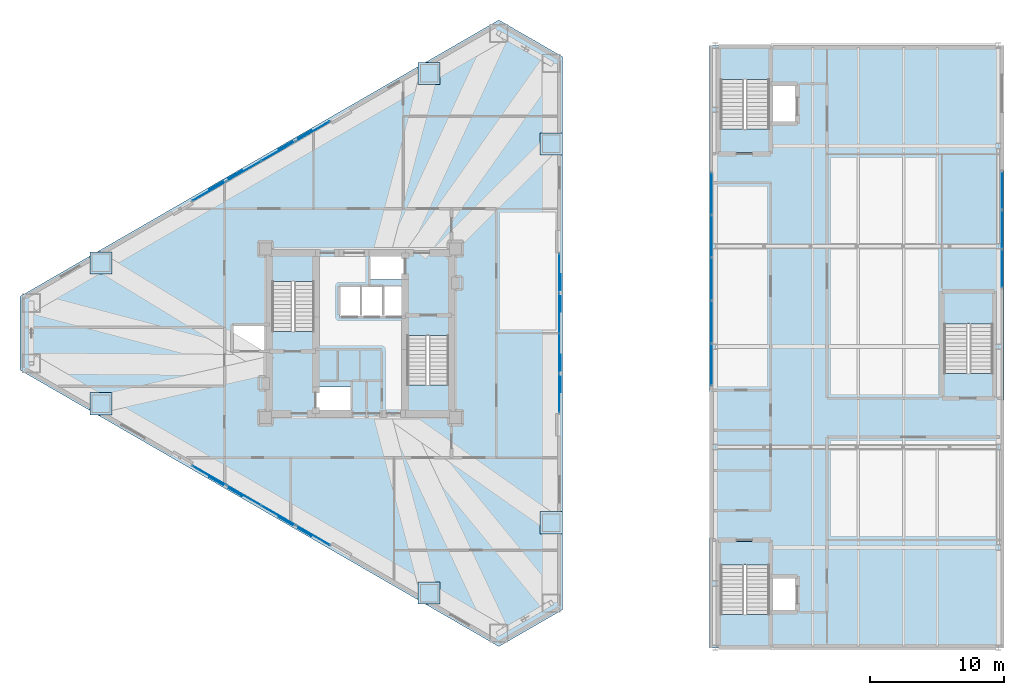
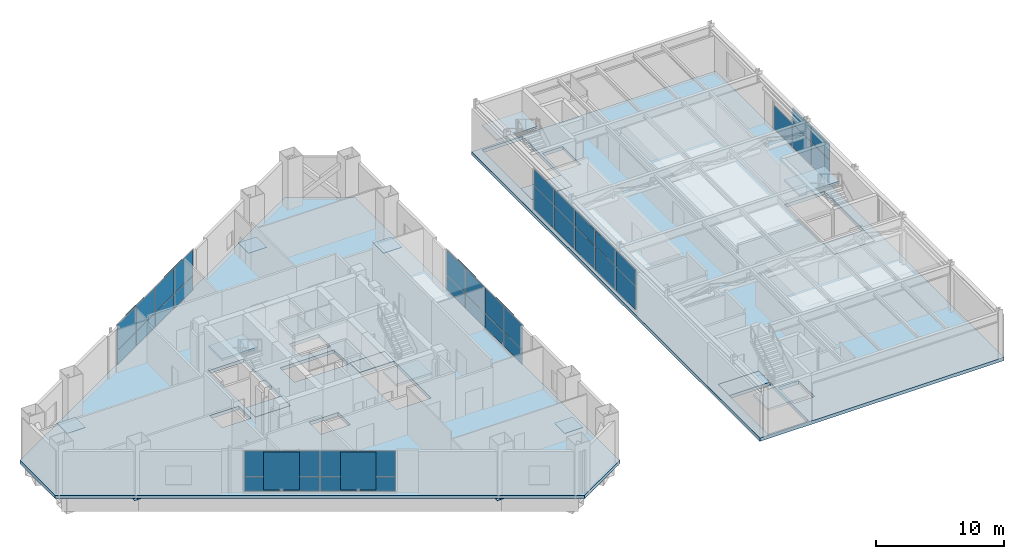
# One storey, part 19 of 29: 51 plates, 12 slabs, 10 elements without a shape of their own.
"""IFC4 building model written with IfcOpenShell, lengths in metres."""

from ifc_helpers import new_model, si_unit, direction, frame, origin, origin_2d, place, context, subcontext, project, spatial, polyline, rectangle, outline, extrude, material, layer, layer_set, type_object, element, aggregate, save


model = new_model("IFC4")

# Units and contexts
model_context = context("Model", 3, precision=1e-05, world=origin(), true_north=direction((0.0, 1.0)))
body_context = subcontext(model_context, "Body", "Model", "MODEL_VIEW")
ifc_project = project(units=[si_unit("LENGTHUNIT", "METRE"), si_unit("AREAUNIT", "SQUARE_METRE"), si_unit("VOLUMEUNIT", "CUBIC_METRE"), si_unit("PLANEANGLEUNIT", "RADIAN"), si_unit("MASSUNIT", "GRAM", prefix="KILO")], contexts=[model_context])

# Site, building, storey
site_placement = place(None, origin())
site = spatial("IfcSite", under=ifc_project, at=site_placement, CompositionType="ELEMENT")
building_placement = place(site_placement, origin())
building = spatial("IfcBuilding", under=site, at=building_placement, Name="Mersakhor Tower and Convention Hall", CompositionType="ELEMENT")
storey_placement = place(building_placement, frame((0.0, 0.0, 9.60009765625)))
storey = spatial("IfcBuildingStorey", under=building, at=storey_placement, Name="L02", CompositionType="ELEMENT", Elevation=9.60009765625)

# Curtain wall, plates
ifc_material_1 = material(Name="Dark solar low-E aluminium curtain wall", Category="aluminium")
ifc_layer_1 = layer(ifc_material_1, 0.18994140625)
ifc_layer_set_1 = layer_set([ifc_layer_1], Name="Dark solar low-E aluminium curtain wall")
curtain_wall_type_1 = type_object("IfcCurtainWallType", Name="CW-SYS-04", PredefinedType="USERDEFINED", material=ifc_layer_set_1)
curtain_wall_1_placement = place(storey_placement, origin())
curtain_wall_1 = element("IfcCurtainWall", 1, at=curtain_wall_1_placement, inside=storey, type_object=curtain_wall_type_1, Name="L02 Dark-Glass Curtain Wall F1-B2", ObjectType="CURTAIN WALL", PredefinedType="USERDEFINED")
ifc_material_2 = material(Name="Dark solar double glazing", Category="glass")
ifc_layer_2 = layer(ifc_material_2, 0.031982421875)
ifc_layer_set_2 = layer_set([ifc_layer_2], Name="Dark solar double glazing")
plate_type_1 = type_object("IfcPlateType", Name="CWP-GLZ-32", PredefinedType="CURTAIN_PANEL", material=ifc_layer_set_2)
plate_1_placement = place(storey_placement, frame((17.703857421875, 37.37548828125, 0.259765625), z_axis=(0.0, 0.0, 1.0), x_axis=(0.866023412558, 0.50000344889, 0.0)))
plate_1 = element("IfcPlate", 2, at=plate_1_placement, type_object=plate_type_1, Name="CW-04 panel 1.1", PredefinedType="CURTAIN_PANEL", context=body_context, shape_type="SweptSolid", body=[
    extrude(rectangle(XDim=2.873291015625, YDim=0.031982421875, at=origin_2d()), origin(), (0.0, 0.0, 1.0), 1.330078125),
])
plate_2_placement = place(storey_placement, frame((17.703857421875, 37.37548828125, 1.64990234375), z_axis=(0.0, 0.0, 1.0), x_axis=(0.866023412558, 0.50000344889, 0.0)))
plate_2 = element("IfcPlate", 3, at=plate_2_placement, type_object=plate_type_1, Name="CW-04 panel 1.2", PredefinedType="CURTAIN_PANEL", context=body_context, shape_type="SweptSolid", body=[
    extrude(rectangle(XDim=2.873291015625, YDim=0.031982421875, at=origin_2d()), origin(), (0.0, 0.0, 1.0), 2.389892578125),
])
plate_3_placement = place(storey_placement, frame((20.27880859375, 38.862060546875, 0.259765625), z_axis=(0.0, 0.0, 1.0), x_axis=(0.866023412558, 0.50000344889, 0.0)))
plate_3 = element("IfcPlate", 4, at=plate_3_placement, type_object=plate_type_1, Name="CW-04 panel 2.1", PredefinedType="CURTAIN_PANEL", context=body_context, shape_type="SweptSolid", body=[
    extrude(rectangle(XDim=2.913330078125, YDim=0.031982421875, at=origin_2d()), origin(), (0.0, 0.0, 1.0), 1.330078125),
])
plate_4_placement = place(storey_placement, frame((20.27880859375, 38.862060546875, 1.64990234375), z_axis=(0.0, 0.0, 1.0), x_axis=(0.866023412558, 0.50000344889, 0.0)))
plate_4 = element("IfcPlate", 5, at=plate_4_placement, type_object=plate_type_1, Name="CW-04 panel 2.2", PredefinedType="CURTAIN_PANEL", context=body_context, shape_type="SweptSolid", body=[
    extrude(rectangle(XDim=2.913330078125, YDim=0.031982421875, at=origin_2d()), origin(), (0.0, 0.0, 1.0), 2.389892578125),
])
plate_5_placement = place(storey_placement, frame((22.87109375, 40.35888671875, 0.259765625), z_axis=(0.0, 0.0, 1.0), x_axis=(0.866023412558, 0.50000344889, 0.0)))
plate_5 = element("IfcPlate", 6, at=plate_5_placement, type_object=plate_type_1, Name="CW-04 panel 3.1", PredefinedType="CURTAIN_PANEL", context=body_context, shape_type="SweptSolid", body=[
    extrude(rectangle(XDim=2.913330078125, YDim=0.031982421875, at=origin_2d()), origin(), (0.0, 0.0, 1.0), 1.330078125),
])
plate_6_placement = place(storey_placement, frame((22.87109375, 40.35888671875, 1.64990234375), z_axis=(0.0, 0.0, 1.0), x_axis=(0.866023412558, 0.50000344889, 0.0)))
plate_6 = element("IfcPlate", 7, at=plate_6_placement, type_object=plate_type_1, Name="CW-04 panel 3.2", PredefinedType="CURTAIN_PANEL", context=body_context, shape_type="SweptSolid", body=[
    extrude(rectangle(XDim=2.913330078125, YDim=0.031982421875, at=origin_2d()), origin(), (0.0, 0.0, 1.0), 2.389892578125),
])
plate_7_placement = place(storey_placement, frame((25.446044921875, 41.845458984375, 0.259765625), z_axis=(0.0, 0.0, 1.0), x_axis=(0.866023412558, 0.50000344889, 0.0)))
plate_7 = element("IfcPlate", 8, at=plate_7_placement, type_object=plate_type_1, Name="CW-04 panel 4.1", PredefinedType="CURTAIN_PANEL", context=body_context, shape_type="SweptSolid", body=[
    extrude(rectangle(XDim=2.873291015625, YDim=0.031982421875, at=origin_2d()), origin(), (0.0, 0.0, 1.0), 1.330078125),
])
plate_8_placement = place(storey_placement, frame((25.446044921875, 41.845458984375, 1.64990234375), z_axis=(0.0, 0.0, 1.0), x_axis=(0.866023412558, 0.50000344889, 0.0)))
plate_8 = element("IfcPlate", 9, at=plate_8_placement, type_object=plate_type_1, Name="CW-04 panel 4.2", PredefinedType="CURTAIN_PANEL", context=body_context, shape_type="SweptSolid", body=[
    extrude(rectangle(XDim=2.873291015625, YDim=0.031982421875, at=origin_2d()), origin(), (0.0, 0.0, 1.0), 2.389892578125),
])
aggregate(curtain_wall_1, [plate_1, plate_2, plate_3, plate_4, plate_5, plate_6, plate_7, plate_8])

curtain_wall_2_placement = place(storey_placement, origin())
curtain_wall_2 = element("IfcCurtainWall", 10, at=curtain_wall_2_placement, inside=storey, type_object=curtain_wall_type_1, Name="L02 Dark-Glass Curtain Wall F2-B2", ObjectType="CURTAIN WALL", PredefinedType="USERDEFINED")
plate_9_placement = place(storey_placement, frame((43.85009765625, 31.219970703125, 0.259765625), z_axis=(0.0, 0.0, 1.0), x_axis=(0.0, -1.0, 0.0)))
plate_9 = element("IfcPlate", 11, at=plate_9_placement, type_object=plate_type_1, Name="CW-04 panel 1.1", PredefinedType="CURTAIN_PANEL", context=body_context, shape_type="SweptSolid", body=[
    extrude(rectangle(XDim=2.873291015625, YDim=0.031982421875, at=origin_2d()), origin(), (0.0, 0.0, 1.0), 1.330078125),
])
plate_10_placement = place(storey_placement, frame((43.85009765625, 31.219970703125, 1.64990234375), z_axis=(0.0, 0.0, 1.0), x_axis=(0.0, -1.0, 0.0)))
plate_10 = element("IfcPlate", 12, at=plate_10_placement, type_object=plate_type_1, Name="CW-04 panel 1.2", PredefinedType="CURTAIN_PANEL", context=body_context, shape_type="SweptSolid", body=[
    extrude(rectangle(XDim=2.873291015625, YDim=0.031982421875, at=origin_2d()), origin(), (0.0, 0.0, 1.0), 2.389892578125),
])
plate_11_placement = place(storey_placement, frame((43.85009765625, 28.24658203125, 0.259765625), z_axis=(0.0, 0.0, 1.0), x_axis=(0.0, -1.0, 0.0)))
plate_11 = element("IfcPlate", 13, at=plate_11_placement, type_object=plate_type_1, Name="CW-04 panel 2.1", PredefinedType="CURTAIN_PANEL", context=body_context, shape_type="SweptSolid", body=[
    extrude(rectangle(XDim=2.913330078125, YDim=0.031982421875, at=origin_2d()), origin(), (0.0, 0.0, 1.0), 1.330078125),
])
plate_12_placement = place(storey_placement, frame((43.85009765625, 28.24658203125, 1.64990234375), z_axis=(0.0, 0.0, 1.0), x_axis=(0.0, -1.0, 0.0)))
plate_12 = element("IfcPlate", 14, at=plate_12_placement, type_object=plate_type_1, Name="CW-04 panel 2.2", PredefinedType="CURTAIN_PANEL", context=body_context, shape_type="SweptSolid", body=[
    extrude(rectangle(XDim=2.913330078125, YDim=0.031982421875, at=origin_2d()), origin(), (0.0, 0.0, 1.0), 2.389892578125),
])
plate_13_placement = place(storey_placement, frame((43.85009765625, 25.25341796875, 0.259765625), z_axis=(0.0, 0.0, 1.0), x_axis=(0.0, -1.0, 0.0)))
plate_13 = element("IfcPlate", 15, at=plate_13_placement, type_object=plate_type_1, Name="CW-04 panel 3.1", PredefinedType="CURTAIN_PANEL", context=body_context, shape_type="SweptSolid", body=[
    extrude(rectangle(XDim=2.913330078125, YDim=0.031982421875, at=origin_2d()), origin(), (0.0, 0.0, 1.0), 1.330078125),
])
plate_14_placement = place(storey_placement, frame((43.85009765625, 25.25341796875, 1.64990234375), z_axis=(0.0, 0.0, 1.0), x_axis=(0.0, -1.0, 0.0)))
plate_14 = element("IfcPlate", 16, at=plate_14_placement, type_object=plate_type_1, Name="CW-04 panel 3.2", PredefinedType="CURTAIN_PANEL", context=body_context, shape_type="SweptSolid", body=[
    extrude(rectangle(XDim=2.913330078125, YDim=0.031982421875, at=origin_2d()), origin(), (0.0, 0.0, 1.0), 2.389892578125),
])
plate_15_placement = place(storey_placement, frame((43.85009765625, 22.280029296875, 0.259765625), z_axis=(0.0, 0.0, 1.0), x_axis=(0.0, -1.0, 0.0)))
plate_15 = element("IfcPlate", 17, at=plate_15_placement, type_object=plate_type_1, Name="CW-04 panel 4.1", PredefinedType="CURTAIN_PANEL", context=body_context, shape_type="SweptSolid", body=[
    extrude(rectangle(XDim=2.873291015625, YDim=0.031982421875, at=origin_2d()), origin(), (0.0, 0.0, 1.0), 1.330078125),
])
plate_16_placement = place(storey_placement, frame((43.85009765625, 22.280029296875, 1.64990234375), z_axis=(0.0, 0.0, 1.0), x_axis=(0.0, -1.0, 0.0)))
plate_16 = element("IfcPlate", 18, at=plate_16_placement, type_object=plate_type_1, Name="CW-04 panel 4.2", PredefinedType="CURTAIN_PANEL", context=body_context, shape_type="SweptSolid", body=[
    extrude(rectangle(XDim=2.873291015625, YDim=0.031982421875, at=origin_2d()), origin(), (0.0, 0.0, 1.0), 2.389892578125),
])
aggregate(curtain_wall_2, [plate_9, plate_10, plate_11, plate_12, plate_13, plate_14, plate_15, plate_16])

curtain_wall_3_placement = place(storey_placement, origin())
curtain_wall_3 = element("IfcCurtainWall", 19, at=curtain_wall_3_placement, inside=storey, type_object=curtain_wall_type_1, Name="L02 Dark-Glass Curtain Wall F3-B2", ObjectType="CURTAIN WALL", PredefinedType="USERDEFINED")
plate_17_placement = place(storey_placement, frame((25.446044921875, 11.654541015625, 0.259765625), z_axis=(0.0, 0.0, 1.0), x_axis=(-0.866023412558, 0.50000344889, 0.0)))
plate_17 = element("IfcPlate", 20, at=plate_17_placement, type_object=plate_type_1, Name="CW-04 panel 1.1", PredefinedType="CURTAIN_PANEL", context=body_context, shape_type="SweptSolid", body=[
    extrude(rectangle(XDim=2.873291015625, YDim=0.031982421875, at=origin_2d()), origin(), (0.0, 0.0, 1.0), 1.330078125),
])
plate_18_placement = place(storey_placement, frame((25.446044921875, 11.654541015625, 1.64990234375), z_axis=(0.0, 0.0, 1.0), x_axis=(-0.866023412558, 0.50000344889, 0.0)))
plate_18 = element("IfcPlate", 21, at=plate_18_placement, type_object=plate_type_1, Name="CW-04 panel 1.2", PredefinedType="CURTAIN_PANEL", context=body_context, shape_type="SweptSolid", body=[
    extrude(rectangle(XDim=2.873291015625, YDim=0.031982421875, at=origin_2d()), origin(), (0.0, 0.0, 1.0), 2.389892578125),
])
plate_19_placement = place(storey_placement, frame((22.87109375, 13.14111328125, 0.259765625), z_axis=(0.0, 0.0, 1.0), x_axis=(-0.866023412558, 0.50000344889, 0.0)))
plate_19 = element("IfcPlate", 22, at=plate_19_placement, type_object=plate_type_1, Name="CW-04 panel 2.1", PredefinedType="CURTAIN_PANEL", context=body_context, shape_type="SweptSolid", body=[
    extrude(rectangle(XDim=2.913330078125, YDim=0.031982421875, at=origin_2d()), origin(), (0.0, 0.0, 1.0), 1.330078125),
])
plate_20_placement = place(storey_placement, frame((22.87109375, 13.14111328125, 1.64990234375), z_axis=(0.0, 0.0, 1.0), x_axis=(-0.866023412558, 0.50000344889, 0.0)))
plate_20 = element("IfcPlate", 23, at=plate_20_placement, type_object=plate_type_1, Name="CW-04 panel 2.2", PredefinedType="CURTAIN_PANEL", context=body_context, shape_type="SweptSolid", body=[
    extrude(rectangle(XDim=2.913330078125, YDim=0.031982421875, at=origin_2d()), origin(), (0.0, 0.0, 1.0), 2.389892578125),
])
plate_21_placement = place(storey_placement, frame((20.27880859375, 14.637939453125, 0.259765625), z_axis=(0.0, 0.0, 1.0), x_axis=(-0.866023412558, 0.50000344889, 0.0)))
plate_21 = element("IfcPlate", 24, at=plate_21_placement, type_object=plate_type_1, Name="CW-04 panel 3.1", PredefinedType="CURTAIN_PANEL", context=body_context, shape_type="SweptSolid", body=[
    extrude(rectangle(XDim=2.913330078125, YDim=0.031982421875, at=origin_2d()), origin(), (0.0, 0.0, 1.0), 1.330078125),
])
plate_22_placement = place(storey_placement, frame((20.27880859375, 14.637939453125, 1.64990234375), z_axis=(0.0, 0.0, 1.0), x_axis=(-0.866023412558, 0.50000344889, 0.0)))
plate_22 = element("IfcPlate", 25, at=plate_22_placement, type_object=plate_type_1, Name="CW-04 panel 3.2", PredefinedType="CURTAIN_PANEL", context=body_context, shape_type="SweptSolid", body=[
    extrude(rectangle(XDim=2.913330078125, YDim=0.031982421875, at=origin_2d()), origin(), (0.0, 0.0, 1.0), 2.389892578125),
])
plate_23_placement = place(storey_placement, frame((17.703857421875, 16.12451171875, 0.259765625), z_axis=(0.0, 0.0, 1.0), x_axis=(-0.866023412558, 0.50000344889, 0.0)))
plate_23 = element("IfcPlate", 26, at=plate_23_placement, type_object=plate_type_1, Name="CW-04 panel 4.1", PredefinedType="CURTAIN_PANEL", context=body_context, shape_type="SweptSolid", body=[
    extrude(rectangle(XDim=2.873291015625, YDim=0.031982421875, at=origin_2d()), origin(), (0.0, 0.0, 1.0), 1.330078125),
])
plate_24_placement = place(storey_placement, frame((17.703857421875, 16.12451171875, 1.64990234375), z_axis=(0.0, 0.0, 1.0), x_axis=(-0.866023412558, 0.50000344889, 0.0)))
plate_24 = element("IfcPlate", 27, at=plate_24_placement, type_object=plate_type_1, Name="CW-04 panel 4.2", PredefinedType="CURTAIN_PANEL", context=body_context, shape_type="SweptSolid", body=[
    extrude(rectangle(XDim=2.873291015625, YDim=0.031982421875, at=origin_2d()), origin(), (0.0, 0.0, 1.0), 2.389892578125),
])
aggregate(curtain_wall_3, [plate_17, plate_18, plate_19, plate_20, plate_21, plate_22, plate_23, plate_24])

ifc_material_3 = material(Name="Dark solar low-E aluminium curtain wall", Category="aluminium")
ifc_layer_3 = layer(ifc_material_3, 0.219970703125)
ifc_layer_set_3 = layer_set([ifc_layer_3], Name="Dark solar low-E aluminium curtain wall")
curtain_wall_type_2 = type_object("IfcCurtainWallType", Name="CW-SYS-07", PredefinedType="USERDEFINED", material=ifc_layer_set_3)
curtain_wall_4_placement = place(storey_placement, origin())
curtain_wall_4 = element("IfcCurtainWall", 28, at=curtain_wall_4_placement, inside=storey, type_object=curtain_wall_type_2, Name="Convention L02 West Curtain Wall", ObjectType="CURTAIN WALL", PredefinedType="USERDEFINED")
ifc_material_4 = material(Name="Dark solar double glazing", Category="glass")
ifc_layer_4 = layer(ifc_material_4, 0.0439453125)
ifc_layer_set_4 = layer_set([ifc_layer_4], Name="Dark solar double glazing")
plate_type_2 = type_object("IfcPlateType", Name="CWP-GLZ-44", PredefinedType="CURTAIN_PANEL", material=ifc_layer_set_4)
plate_25_placement = place(storey_placement, frame((55.22509765625, 24.419921875, 0.260009765625), z_axis=(0.0, 0.0, 1.0), x_axis=(0.0, 1.0, 0.0)))
plate_25 = element("IfcPlate", 29, at=plate_25_placement, type_object=plate_type_2, Name="CW-07 panel 1.1", PredefinedType="CURTAIN_PANEL", context=body_context, shape_type="SweptSolid", body=[
    extrude(rectangle(XDim=3.080078125, YDim=0.0439453125, at=origin_2d()), origin(), (0.0, 0.0, 1.0), 2.2099609375),
])
plate_26_placement = place(storey_placement, frame((55.22509765625, 24.419921875, 2.52978515625), z_axis=(0.0, 0.0, 1.0), x_axis=(0.0, 1.0, 0.0)))
plate_26 = element("IfcPlate", 30, at=plate_26_placement, type_object=plate_type_2, Name="CW-07 panel 1.2", PredefinedType="CURTAIN_PANEL", context=body_context, shape_type="SweptSolid", body=[
    extrude(rectangle(XDim=3.080078125, YDim=0.0439453125, at=origin_2d()), origin(), (0.0, 0.0, 1.0), 1.510009765625),
])
plate_27_placement = place(storey_placement, frame((55.22509765625, 27.60009765625, 0.260009765625), z_axis=(0.0, 0.0, 1.0), x_axis=(0.0, 1.0, 0.0)))
plate_27 = element("IfcPlate", 31, at=plate_27_placement, type_object=plate_type_2, Name="CW-07 panel 2.1", PredefinedType="CURTAIN_PANEL", context=body_context, shape_type="SweptSolid", body=[
    extrude(rectangle(XDim=3.1201171875, YDim=0.0439453125, at=origin_2d()), origin(), (0.0, 0.0, 1.0), 2.2099609375),
])
plate_28_placement = place(storey_placement, frame((55.22509765625, 27.60009765625, 2.52978515625), z_axis=(0.0, 0.0, 1.0), x_axis=(0.0, 1.0, 0.0)))
plate_28 = element("IfcPlate", 32, at=plate_28_placement, type_object=plate_type_2, Name="CW-07 panel 2.2", PredefinedType="CURTAIN_PANEL", context=body_context, shape_type="SweptSolid", body=[
    extrude(rectangle(XDim=3.1201171875, YDim=0.0439453125, at=origin_2d()), origin(), (0.0, 0.0, 1.0), 1.510009765625),
])
plate_29_placement = place(storey_placement, frame((55.22509765625, 30.800048828125, 0.260009765625), z_axis=(0.0, 0.0, 1.0), x_axis=(0.0, 1.0, 0.0)))
plate_29 = element("IfcPlate", 33, at=plate_29_placement, type_object=plate_type_2, Name="CW-07 panel 3.1", PredefinedType="CURTAIN_PANEL", context=body_context, shape_type="SweptSolid", body=[
    extrude(rectangle(XDim=3.1201171875, YDim=0.0439453125, at=origin_2d()), origin(), (0.0, 0.0, 1.0), 2.2099609375),
])
plate_30_placement = place(storey_placement, frame((55.22509765625, 30.800048828125, 2.52978515625), z_axis=(0.0, 0.0, 1.0), x_axis=(0.0, 1.0, 0.0)))
plate_30 = element("IfcPlate", 34, at=plate_30_placement, type_object=plate_type_2, Name="CW-07 panel 3.2", PredefinedType="CURTAIN_PANEL", context=body_context, shape_type="SweptSolid", body=[
    extrude(rectangle(XDim=3.1201171875, YDim=0.0439453125, at=origin_2d()), origin(), (0.0, 0.0, 1.0), 1.510009765625),
])
plate_31_placement = place(storey_placement, frame((55.22509765625, 34.0, 0.260009765625), z_axis=(0.0, 0.0, 1.0), x_axis=(0.0, 1.0, 0.0)))
plate_31 = element("IfcPlate", 35, at=plate_31_placement, type_object=plate_type_2, Name="CW-07 panel 4.1", PredefinedType="CURTAIN_PANEL", context=body_context, shape_type="SweptSolid", body=[
    extrude(rectangle(XDim=3.1201171875, YDim=0.0439453125, at=origin_2d()), origin(), (0.0, 0.0, 1.0), 2.2099609375),
])
plate_32_placement = place(storey_placement, frame((55.22509765625, 34.0, 2.52978515625), z_axis=(0.0, 0.0, 1.0), x_axis=(0.0, 1.0, 0.0)))
plate_32 = element("IfcPlate", 36, at=plate_32_placement, type_object=plate_type_2, Name="CW-07 panel 4.2", PredefinedType="CURTAIN_PANEL", context=body_context, shape_type="SweptSolid", body=[
    extrude(rectangle(XDim=3.1201171875, YDim=0.0439453125, at=origin_2d()), origin(), (0.0, 0.0, 1.0), 1.510009765625),
])
plate_33_placement = place(storey_placement, frame((55.22509765625, 37.179931640625, 0.260009765625), z_axis=(0.0, 0.0, 1.0), x_axis=(0.0, 1.0, 0.0)))
plate_33 = element("IfcPlate", 37, at=plate_33_placement, type_object=plate_type_2, Name="CW-07 panel 5.1", PredefinedType="CURTAIN_PANEL", context=body_context, shape_type="SweptSolid", body=[
    extrude(rectangle(XDim=3.080078125, YDim=0.0439453125, at=origin_2d()), origin(), (0.0, 0.0, 1.0), 2.2099609375),
])
plate_34_placement = place(storey_placement, frame((55.22509765625, 37.179931640625, 2.52978515625), z_axis=(0.0, 0.0, 1.0), x_axis=(0.0, 1.0, 0.0)))
plate_34 = element("IfcPlate", 38, at=plate_34_placement, type_object=plate_type_2, Name="CW-07 panel 5.2", PredefinedType="CURTAIN_PANEL", context=body_context, shape_type="SweptSolid", body=[
    extrude(rectangle(XDim=3.080078125, YDim=0.0439453125, at=origin_2d()), origin(), (0.0, 0.0, 1.0), 1.510009765625),
])
aggregate(curtain_wall_4, [plate_25, plate_26, plate_27, plate_28, plate_29, plate_30, plate_31, plate_32, plate_33, plate_34])

curtain_wall_5_placement = place(storey_placement, origin())
curtain_wall_5 = element("IfcCurtainWall", 39, at=curtain_wall_5_placement, inside=storey, type_object=curtain_wall_type_2, Name="Convention L02 East Curtain Wall", ObjectType="CURTAIN WALL", PredefinedType="USERDEFINED")
plate_35_placement = place(storey_placement, frame((76.925048828125, 37.413330078125, 0.260009765625), z_axis=(0.0, 0.0, 1.0), x_axis=(0.0, -1.0, 0.0)))
plate_35 = element("IfcPlate", 40, at=plate_35_placement, type_object=plate_type_2, Name="CW-07 panel 1.1", PredefinedType="CURTAIN_PANEL", context=body_context, shape_type="SweptSolid", body=[
    extrude(rectangle(XDim=2.813232421875, YDim=0.0439453125, at=origin_2d()), origin(), (0.0, 0.0, 1.0), 2.2099609375),
])
plate_36_placement = place(storey_placement, frame((76.925048828125, 34.5, 0.260009765625), z_axis=(0.0, 0.0, 1.0), x_axis=(0.0, -1.0, 0.0)))
plate_36 = element("IfcPlate", 41, at=plate_36_placement, type_object=plate_type_2, Name="CW-07 panel 2.1", PredefinedType="CURTAIN_PANEL", context=body_context, shape_type="SweptSolid", body=[
    extrude(rectangle(XDim=2.853271484375, YDim=0.0439453125, at=origin_2d()), origin(), (0.0, 0.0, 1.0), 2.2099609375),
])
plate_37_placement = place(storey_placement, frame((76.925048828125, 34.5, 2.52978515625), z_axis=(0.0, 0.0, 1.0), x_axis=(0.0, -1.0, 0.0)))
plate_37 = element("IfcPlate", 42, at=plate_37_placement, type_object=plate_type_2, Name="CW-07 panel 2.2", PredefinedType="CURTAIN_PANEL", context=body_context, shape_type="SweptSolid", body=[
    extrude(rectangle(XDim=2.853271484375, YDim=0.0439453125, at=origin_2d()), origin(), (0.0, 0.0, 1.0), 1.510009765625),
])
plate_38_placement = place(storey_placement, frame((76.925048828125, 31.586669921875, 0.260009765625), z_axis=(0.0, 0.0, 1.0), x_axis=(0.0, -1.0, 0.0)))
plate_38 = element("IfcPlate", 43, at=plate_38_placement, type_object=plate_type_2, Name="CW-07 panel 3.1", PredefinedType="CURTAIN_PANEL", context=body_context, shape_type="SweptSolid", body=[
    extrude(rectangle(XDim=2.813232421875, YDim=0.0439453125, at=origin_2d()), origin(), (0.0, 0.0, 1.0), 2.2099609375),
])
plate_39_placement = place(storey_placement, frame((76.925048828125, 31.586669921875, 2.52978515625), z_axis=(0.0, 0.0, 1.0), x_axis=(0.0, -1.0, 0.0)))
plate_39 = element("IfcPlate", 44, at=plate_39_placement, type_object=plate_type_2, Name="CW-07 panel 3.2", PredefinedType="CURTAIN_PANEL", context=body_context, shape_type="SweptSolid", body=[
    extrude(rectangle(XDim=2.813232421875, YDim=0.0439453125, at=origin_2d()), origin(), (0.0, 0.0, 1.0), 1.510009765625),
])
aggregate(curtain_wall_5, [plate_35, plate_36, plate_37, plate_38, plate_39])

# Plates
ifc_material_5 = material(Name="Steel S460", Category="steel")
ifc_layer_5 = layer(ifc_material_5, 0.0400390625)
ifc_layer_set_5 = layer_set([ifc_layer_5], Name="Steel S460")
plate_type_3 = type_object("IfcPlateType", Name="PL-GUSSET-40", PredefinedType="SHEET", material=ifc_layer_set_5)
for number, where, z_axis, x_axis, name in (
    (45, (9.61669921875, 32.013671875, -0.340087890625), (0.0, 0.0, 1.0), (1.0, 0.0, 0.0), "Pilotis Transfer Node Cap Plate ND-F1-1"),
    (46, (34.13330078125, 46.168212890625, -0.340087890625), (0.0, 0.0, 1.0), (1.0, 0.0, 0.0), "Pilotis Transfer Node Cap Plate ND-F1-2"),
    (47, (43.25, 40.904541015625, -0.340087890625), (0.0, 0.0, 1.0), (1.0, 0.0, 0.0), "Pilotis Transfer Node Cap Plate ND-F2-1"),
    (48, (43.25, 12.595458984375, -0.340087890625), (0.0, 0.0, 1.0), (1.0, 0.0, 0.0), "Pilotis Transfer Node Cap Plate ND-F2-2"),
    (49, (34.13330078125, 7.331787109375, -0.340087890625), (0.0, 0.0, 1.0), (1.0, 0.0, 0.0), "Pilotis Transfer Node Cap Plate ND-F3-1"),
    (50, (9.61669921875, 21.486328125, -0.340087890625), (0.0, 0.0, 1.0), (1.0, 0.0, 0.0), "Pilotis Transfer Node Cap Plate ND-F3-2"),
):
    element("IfcPlate", number, at=place(storey_placement, frame(where, z_axis=z_axis, x_axis=x_axis)), inside=storey, type_object=plate_type_3, Name=name, PredefinedType="SHEET", context=body_context, shape_type="SweptSolid", body=[
        extrude(rectangle(XDim=1.64990234375, YDim=1.64990234375, at=origin_2d()), origin(), (0.0, 0.0, 1.0), 0.0400390625),
    ])
ifc_material_6 = material(Name="Perforated ceramic cobogo solar screen", Category="aluminium")
ifc_layer_6 = layer(ifc_material_6, 0.048095703125)
ifc_layer_set_6 = layer_set([ifc_layer_6], Name="Perforated ceramic cobogo solar screen")
plate_type_4 = type_object("IfcPlateType", Name="PL-SCR-48", PredefinedType="USERDEFINED", material=ifc_layer_set_6)
for number, where, z_axis, x_axis, name in (
    (51, (18.935791015625, 38.1953125, 0.39990234375), (0.0, 0.0, 1.0), (0.866025403784, 0.5, 0.0), "L02 Perforated Ceramic Solar Screen F1-1"),
    (52, (24.120361328125, 41.1884765625, 0.39990234375), (0.0, 0.0, 1.0), (0.866025403784, 0.5, 0.0), "L02 Perforated Ceramic Solar Screen F1-2"),
    (53, (43.944091796875, 29.743408203125, 0.39990234375), (0.0, 0.0, 1.0), (0.0, -1.0, 0.0), "L02 Perforated Ceramic Solar Screen F2-1"),
    (54, (43.944091796875, 23.756591796875, 0.39990234375), (0.0, 0.0, 1.0), (0.0, -1.0, 0.0), "L02 Perforated Ceramic Solar Screen F2-2"),
    (55, (24.1201171875, 12.311279296875, 0.39990234375), (0.0, 0.0, 1.0), (-0.866025403784, 0.5, 0.0), "L02 Perforated Ceramic Solar Screen F3-1"),
    (56, (18.935791015625, 15.3046875, 0.39990234375), (0.0, 0.0, 1.0), (-0.866025403784, 0.5, 0.0), "L02 Perforated Ceramic Solar Screen F3-2"),
):
    element("IfcPlate", number, at=place(storey_placement, frame(where, z_axis=z_axis, x_axis=x_axis)), inside=storey, type_object=plate_type_4, Name=name, ObjectType="SCREEN", PredefinedType="USERDEFINED", context=body_context, shape_type="SweptSolid", body=[
        extrude(rectangle(XDim=2.800048828125, YDim=0.048095703125, at=origin_2d()), origin(), (0.0, 0.0, 1.0), 3.64990234375),
    ])

# Slabs
ifc_material_7 = material(Name="Concrete C45/55", Category="concrete")
ifc_layer_7 = layer(ifc_material_7, 0.320068359375)
ifc_layer_set_7 = layer_set([ifc_layer_7], Name="Concrete C45/55")
slab_type_1 = type_object("IfcSlabType", Name="SL-FLR-320", PredefinedType="FLOOR", material=ifc_layer_set_7)
slab_1_placement = place(storey_placement, frame((0.0, 0.0, -0.320068359375)))
element("IfcSlab", 57, at=slab_1_placement, inside=storey, type_object=slab_type_1, Name="L02 ST-1 Structural Stair Floor Landing", PredefinedType="LANDING", context=body_context, shape_type="SweptSolid", body=[
    extrude(outline(polyline([(25.550048828125, 25.39990234375), (25.550048828125, 26.89990234375), (22.39990234375, 26.89990234375), (22.39990234375, 25.39990234375), (25.550048828125, 25.39990234375)])), origin(), (0.0, 0.0, 1.0), 0.320068359375),
])
slab_2_placement = place(storey_placement, frame((0.0, 0.0, -0.320068359375)))
element("IfcSlab", 58, at=slab_2_placement, inside=storey, type_object=slab_type_1, Name="L02 ST-2 Structural Stair Floor Landing", PredefinedType="LANDING", context=body_context, shape_type="SweptSolid", body=[
    extrude(outline(polyline([(32.449951171875, 28.10009765625), (32.449951171875, 26.60009765625), (35.60009765625, 26.60009765625), (35.60009765625, 28.10009765625), (32.449951171875, 28.10009765625)])), origin(), (0.0, 0.0, 1.0), 0.320068359375),
])
slab_3_placement = place(storey_placement, frame((0.0, 0.0, -0.320068359375)))
element("IfcSlab", 59, at=slab_3_placement, inside=storey, type_object=slab_type_1, Name="Tower L02 Structural Floor Slab", PredefinedType="FLOOR", context=body_context, shape_type="SweptSolid", body=[
    extrude(outline(polyline([(3.56298828125, 29.5), (39.3369140625, 50.154052734375), (44.10009765625, 47.404052734375), (44.10009765625, 6.095947265625), (39.3369140625, 3.345947265625), (3.56298828125, 24.0), (3.56298828125, 29.5)]), holes=[polyline([(25.550048828125, 25.39990234375), (25.550048828125, 32.699951171875), (22.39990234375, 32.699951171875), (22.39990234375, 25.39990234375), (25.550048828125, 25.39990234375)]), polyline([(32.449951171875, 28.10009765625), (32.449951171875, 20.800048828125), (35.60009765625, 20.800048828125), (35.60009765625, 28.10009765625), (32.449951171875, 28.10009765625)]), polyline([(25.679931640625, 20.820068359375), (25.679931640625, 22.719970703125), (28.320068359375, 22.719970703125), (28.320068359375, 20.820068359375), (25.679931640625, 20.820068359375)]), polyline([(29.679931640625, 30.780029296875), (29.679931640625, 32.679931640625), (32.320068359375, 32.679931640625), (32.320068359375, 30.780029296875), (29.679931640625, 30.780029296875)]), polyline([(27.429931640625, 28.0), (27.429931640625, 30.25), (32.320068359375, 30.25), (32.320068359375, 28.0), (27.429931640625, 28.0)]), polyline([(19.449951171875, 25.449951171875), (19.449951171875, 27.35009765625), (22.050048828125, 27.35009765625), (22.050048828125, 25.449951171875), (19.449951171875, 25.449951171875)])]), origin(), (0.0, 0.0, 1.0), 0.320068359375),
])
slab_4_placement = place(storey_placement, frame((0.0, 0.0, -0.320068359375)))
element("IfcSlab", 60, at=slab_4_placement, inside=storey, type_object=slab_type_1, Name="L02 CH-ST1 Structural Stair Floor Landing", PredefinedType="LANDING", context=body_context, shape_type="SweptSolid", body=[
    extrude(outline(polyline([(55.89990234375, 11.199951171875), (55.89990234375, 9.449951171875), (59.550048828125, 9.449951171875), (59.550048828125, 11.199951171875), (55.89990234375, 11.199951171875)])), origin(), (0.0, 0.0, 1.0), 0.320068359375),
])
slab_5_placement = place(storey_placement, frame((0.0, 0.0, -0.320068359375)))
element("IfcSlab", 61, at=slab_5_placement, inside=storey, type_object=slab_type_1, Name="L02 CH-ST2 Structural Stair Floor Landing", PredefinedType="LANDING", context=body_context, shape_type="SweptSolid", body=[
    extrude(outline(polyline([(59.550048828125, 40.25), (59.550048828125, 42.0), (55.89990234375, 42.0), (55.89990234375, 40.25), (59.550048828125, 40.25)])), origin(), (0.0, 0.0, 1.0), 0.320068359375),
])
slab_6_placement = place(storey_placement, frame((0.0, 0.0, -0.320068359375)))
element("IfcSlab", 62, at=slab_6_placement, inside=storey, type_object=slab_type_1, Name="L02 CH-ST3 Structural Stair Floor Landing", PredefinedType="LANDING", context=body_context, shape_type="SweptSolid", body=[
    extrude(outline(polyline([(76.25, 22.0), (76.25, 23.75), (72.60009765625, 23.75), (72.60009765625, 22.0), (76.25, 22.0)])), origin(), (0.0, 0.0, 1.0), 0.320068359375),
])
slab_7_placement = place(storey_placement, frame((0.0, 0.0, -0.320068359375)))
element("IfcSlab", 63, at=slab_7_placement, inside=storey, type_object=slab_type_1, Name="Convention Hall L02 Composite Floor Slab", PredefinedType="FLOOR", context=body_context, shape_type="SweptSolid", body=[
    extrude(outline(polyline([(55.074951171875, 3.25), (55.074951171875, 48.25), (77.074951171875, 48.25), (77.074951171875, 3.25), (55.074951171875, 3.25)]), holes=[polyline([(55.89990234375, 11.199951171875), (55.89990234375, 3.39990234375), (59.550048828125, 3.39990234375), (59.550048828125, 11.199951171875), (55.89990234375, 11.199951171875)]), polyline([(59.550048828125, 40.25), (59.550048828125, 48.050048828125), (55.89990234375, 48.050048828125), (55.89990234375, 40.25), (59.550048828125, 40.25)]), polyline([(76.25, 22.0), (76.25, 29.800048828125), (72.60009765625, 29.800048828125), (72.60009765625, 22.0), (76.25, 22.0)]), polyline([(59.75, 6.0), (59.75, 8.5), (61.60009765625, 8.5), (61.60009765625, 6.0), (59.75, 6.0)]), polyline([(59.75, 42.5), (59.75, 45.300048828125), (61.60009765625, 45.300048828125), (61.60009765625, 42.5), (59.75, 42.5)])]), origin(), (0.0, 0.0, 1.0), 0.320068359375),
])

# Stair, slab
ifc_material_8 = material(Name="Concrete C45/55", Category="concrete")
stair_type_1 = type_object("IfcStairType", Name="ST-TWR-28R", PredefinedType="HALF_TURN_STAIR", material=ifc_material_8)
stair_1_placement = place(storey_placement, origin())
stair_1 = element("IfcStair", 64, at=stair_1_placement, inside=storey, type_object=stair_type_1, Name="L02 Tower Protected Exit Stair ST-1", PredefinedType="HALF_TURN_STAIR")
ifc_material_9 = material(Name="Concrete C45/55", Category="concrete")
ifc_layer_8 = layer(ifc_material_9, 0.199951171875)
ifc_layer_set_8 = layer_set([ifc_layer_8], Name="Concrete C45/55")
slab_type_2 = type_object("IfcSlabType", Name="SL-LAND-200", PredefinedType="LANDING", material=ifc_layer_set_8)
slab_8_placement = place(storey_placement, frame((0.0, 0.0, 2.199951171875)))
slab_8 = element("IfcSlab", 65, at=slab_8_placement, type_object=slab_type_2, Name="ST-1 landing 1", PredefinedType="LANDING", context=body_context, shape_type="SweptSolid", body=[
    extrude(outline(polyline([(25.550048828125, 30.60498046875), (25.550048828125, 32.699951171875), (22.39990234375, 32.699951171875), (22.39990234375, 30.60498046875), (25.550048828125, 30.60498046875)])), origin(), (0.0, 0.0, 1.0), 0.199951171875),
])
aggregate(stair_1, [slab_8])

stair_2_placement = place(storey_placement, origin())
stair_2 = element("IfcStair", 66, at=stair_2_placement, inside=storey, type_object=stair_type_1, Name="L02 Tower Protected Exit Stair ST-2", PredefinedType="HALF_TURN_STAIR")
slab_9_placement = place(storey_placement, frame((0.0, 0.0, 2.199951171875)))
slab_9 = element("IfcSlab", 67, at=slab_9_placement, type_object=slab_type_2, Name="ST-2 landing 1", PredefinedType="LANDING", context=body_context, shape_type="SweptSolid", body=[
    extrude(outline(polyline([(32.449951171875, 22.89501953125), (32.449951171875, 20.800048828125), (35.60009765625, 20.800048828125), (35.60009765625, 22.89501953125), (32.449951171875, 22.89501953125)])), origin(), (0.0, 0.0, 1.0), 0.199951171875),
])
aggregate(stair_2, [slab_9])

ifc_material_10 = material(Name="Concrete C45/55", Category="concrete")
stair_type_2 = type_object("IfcStairType", Name="ST-CNV-28R", PredefinedType="HALF_TURN_STAIR", material=ifc_material_10)
stair_3_placement = place(storey_placement, origin())
stair_3 = element("IfcStair", 68, at=stair_3_placement, inside=storey, type_object=stair_type_2, Name="L02 Convention Hall Exit Stair CH-ST1", PredefinedType="HALF_TURN_STAIR")
slab_10_placement = place(storey_placement, frame((0.0, 0.0, 2.199951171875)))
slab_10 = element("IfcSlab", 69, at=slab_10_placement, type_object=slab_type_2, Name="CH-ST1 landing 1", PredefinedType="LANDING", context=body_context, shape_type="SweptSolid", body=[
    extrude(outline(polyline([(55.89990234375, 5.7451171875), (55.89990234375, 3.39990234375), (59.550048828125, 3.39990234375), (59.550048828125, 5.7451171875), (55.89990234375, 5.7451171875)])), origin(), (0.0, 0.0, 1.0), 0.199951171875),
])
aggregate(stair_3, [slab_10])

stair_4_placement = place(storey_placement, origin())
stair_4 = element("IfcStair", 70, at=stair_4_placement, inside=storey, type_object=stair_type_2, Name="L02 Convention Hall Exit Stair CH-ST2", PredefinedType="HALF_TURN_STAIR")
slab_11_placement = place(storey_placement, frame((0.0, 0.0, 2.199951171875)))
slab_11 = element("IfcSlab", 71, at=slab_11_placement, type_object=slab_type_2, Name="CH-ST2 landing 1", PredefinedType="LANDING", context=body_context, shape_type="SweptSolid", body=[
    extrude(outline(polyline([(59.550048828125, 45.705078125), (59.550048828125, 48.050048828125), (55.89990234375, 48.050048828125), (55.89990234375, 45.705078125), (59.550048828125, 45.705078125)])), origin(), (0.0, 0.0, 1.0), 0.199951171875),
])
aggregate(stair_4, [slab_11])

stair_5_placement = place(storey_placement, origin())
stair_5 = element("IfcStair", 72, at=stair_5_placement, inside=storey, type_object=stair_type_2, Name="L02 Convention Hall Exit Stair CH-ST3", PredefinedType="HALF_TURN_STAIR")
slab_12_placement = place(storey_placement, frame((0.0, 0.0, 2.199951171875)))
slab_12 = element("IfcSlab", 73, at=slab_12_placement, type_object=slab_type_2, Name="CH-ST3 landing 1", PredefinedType="LANDING", context=body_context, shape_type="SweptSolid", body=[
    extrude(outline(polyline([(76.25, 27.455078125), (76.25, 29.800048828125), (72.60009765625, 29.800048828125), (72.60009765625, 27.455078125), (76.25, 27.455078125)])), origin(), (0.0, 0.0, 1.0), 0.199951171875),
])
aggregate(stair_5, [slab_12])

save(model, "model.ifc")
